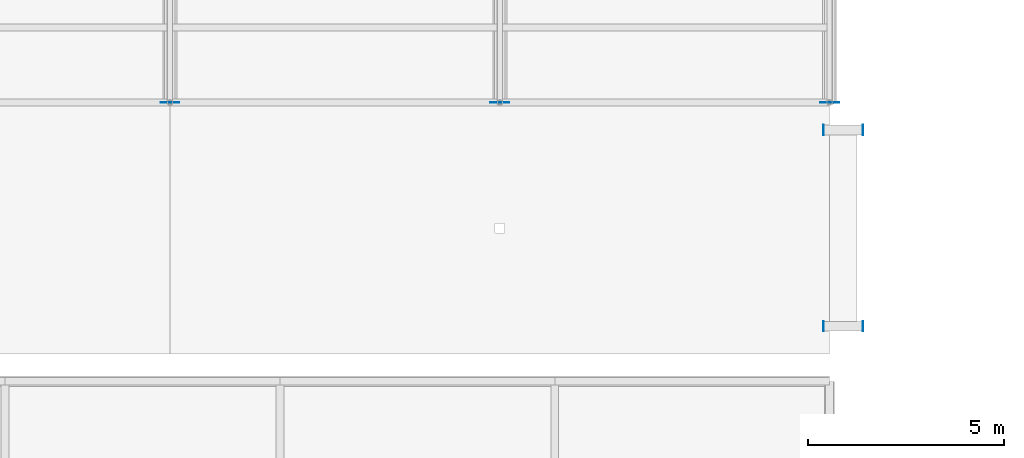
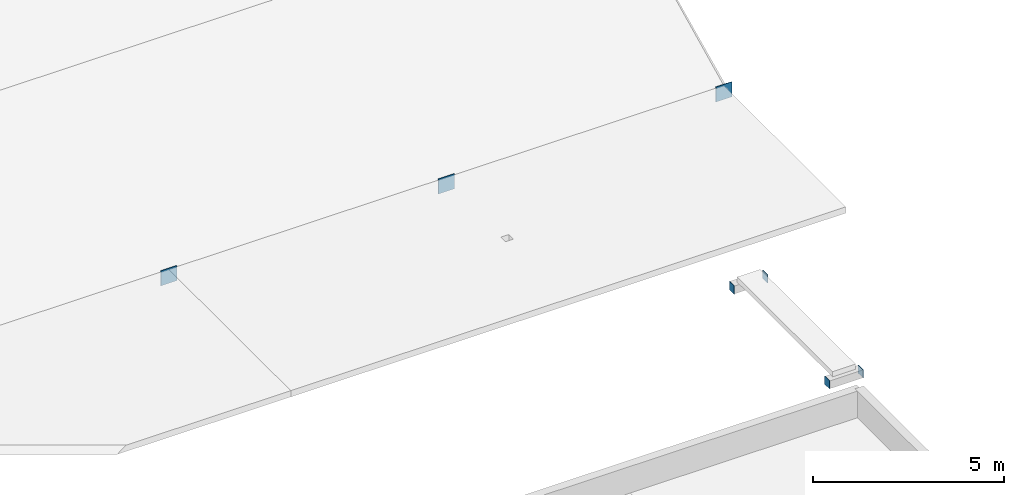
# One storey, part 173 of 194: 7 plates.
"""IFC4 building model written with IfcOpenShell, lengths in metres."""

import ifcopenshell
import ifcopenshell.guid

model = None  # the IFC model being written
_history = None  # IfcOwnerHistory: only IFC2X3 demands one
_inside = {}  # id of a spatial element -> (the spatial element, [elements in it])
_under = {}  # id of a project, library or spatial element -> (it, [spatial elements below it])
_declared = {}  # id of a project -> (the project, [libraries it declares])
_typed = {}  # id of a type object -> (the type object, [elements of that type])
_made_of = {}  # id of a material, layer set ... -> (it, [elements and type objects made of it])


def new_model(schema):
    """Start an empty IFC model of exactly this schema.

    Asked for "IFC4X3", IfcOpenShell would pick the latest addendum, in which some entities
    have other attributes; the version numbers below select the first issue.
    IFC2X3 requires an IfcOwnerHistory on every rooted entity: one is made here for all.
    """
    global model, _history
    if schema == "IFC4X3":
        model = ifcopenshell.file(schema_version=(4, 3, 0, 0))
    else:
        model = ifcopenshell.file(schema=schema)
    _inside.clear()
    _under.clear()
    _declared.clear()
    _typed.clear()
    _made_of.clear()
    _history = None
    if model.schema == "IFC2X3":
        org = make("IfcOrganization", Name="unknown")
        user = make(
            "IfcPersonAndOrganization",
            ThePerson=make("IfcPerson", FamilyName="unknown"),
            TheOrganization=org,
        )
        app = make(
            "IfcApplication",
            ApplicationDeveloper=org,
            Version="unknown",
            ApplicationFullName="unknown",
            ApplicationIdentifier="unknown",
        )
        _history = make(
            "IfcOwnerHistory",
            OwningUser=user,
            OwningApplication=app,
            ChangeAction="ADDED",
            CreationDate=0,
        )
    return model


def make(cls, **values):
    """One entity of the class cls with the attributes given. An attribute that is None is left unset."""
    return model.create_entity(
        cls, **{name: value for name, value in values.items() if value is not None}
    )


def rooted(cls, **values):
    """An entity with a GlobalId (a new one), such as an element, a storey or a relation."""
    return make(cls, GlobalId=ifcopenshell.guid.new(), OwnerHistory=_history, **values)


def si_unit(unit_type, name, prefix=None):
    """IfcSIUnit, for example si_unit("LENGTHUNIT", "METRE", prefix="MILLI")."""
    return make("IfcSIUnit", UnitType=unit_type, Prefix=prefix, Name=name)


def assignment(units):
    """IfcUnitAssignment: the units of a project."""
    return None if units is None else make("IfcUnitAssignment", Units=units)


def point(xyz):
    """IfcCartesianPoint."""
    return None if xyz is None else make("IfcCartesianPoint", Coordinates=xyz)


def direction(xyz):
    """IfcDirection."""
    return None if xyz is None else make("IfcDirection", DirectionRatios=xyz)


def frame(location, z_axis=None, x_axis=None):
    """IfcAxis2Placement3D, a coordinate frame: its origin and axes. An axis left out is left unset."""
    return make(
        "IfcAxis2Placement3D",
        Location=point(location),
        Axis=direction(z_axis),
        RefDirection=direction(x_axis),
    )


def frame_2d(location, x_axis=None):
    """IfcAxis2Placement2D, a coordinate frame in the plane: its origin and x axis."""
    return make(
        "IfcAxis2Placement2D", Location=point(location), RefDirection=direction(x_axis)
    )


def origin():
    """The frame at (0, 0, 0) with its axes left unset."""
    return frame((0.0, 0.0, 0.0))


def origin_2d():
    """The frame at (0, 0) in the plane with its x axis left unset."""
    return frame_2d((0.0, 0.0))


def place(relative_to, where):
    """IfcLocalPlacement: puts the frame where relative to a parent placement (None: the world)."""
    return make(
        "IfcLocalPlacement", PlacementRelTo=relative_to, RelativePlacement=where
    )


def context(
    kind, dimensions, precision=None, world=None, true_north=None, identifier=None
):
    """IfcGeometricRepresentationContext, for example the 3D "Model" context."""
    return make(
        "IfcGeometricRepresentationContext",
        ContextIdentifier=identifier,
        ContextType=kind,
        CoordinateSpaceDimension=dimensions,
        Precision=precision,
        WorldCoordinateSystem=world,
        TrueNorth=true_north,
    )


def subcontext(parent, identifier, kind, view, scale=None):
    """IfcGeometricRepresentationSubContext, for example "Body" below "Model"."""
    return make(
        "IfcGeometricRepresentationSubContext",
        ContextIdentifier=identifier,
        ContextType=kind,
        ParentContext=parent,
        TargetScale=scale,
        TargetView=view,
    )


def project(units=None, contexts=None):
    """IfcProject with its units and contexts."""
    return rooted(
        "IfcProject",
        Name="project",
        RepresentationContexts=contexts,
        UnitsInContext=assignment(units),
    )


def spatial(cls, under=None, at=None, **own):
    """A site, building, storey or space (cls), placed at a placement, below another one or the project."""
    s = rooted(cls, ObjectPlacement=at, **own)
    if under is not None:
        _under.setdefault(under.id(), (under, []))[1].append(s)
    return s


def profile(cls, at=None, kind="AREA", **sizes):
    """A parametric profile (cls). Its sizes go by their IFC names, for example OverallWidth=200.0."""
    return make(cls, ProfileType=kind, Position=at, **sizes)


def rectangle(**sizes):
    """IfcRectangleProfileDef."""
    return profile("IfcRectangleProfileDef", **sizes)


def extrude(swept, where, along, depth):
    """IfcExtrudedAreaSolid: the profile swept, set in the frame where, extruded along a direction by depth."""
    return make(
        "IfcExtrudedAreaSolid",
        SweptArea=swept,
        Position=where,
        ExtrudedDirection=direction(along),
        Depth=depth,
    )


def shape(context_of_items, identifier, shape_type, items):
    """IfcShapeRepresentation: the items that make up one representation, for example the "Body"."""
    return make(
        "IfcShapeRepresentation",
        ContextOfItems=context_of_items,
        RepresentationIdentifier=identifier,
        RepresentationType=shape_type,
        Items=items,
    )


def material(Name=None, Category=None):
    """IfcMaterial."""
    return make("IfcMaterial", Name=Name, Category=Category)


def layer(
    of_material, thickness, ventilated=None, Name=None, Category=None, Priority=None
):
    """IfcMaterialLayer: one layer of a wall or slab, of a material (None: an air gap)."""
    return make(
        "IfcMaterialLayer",
        Material=of_material,
        LayerThickness=thickness,
        IsVentilated=ventilated,
        Name=Name,
        Category=Category,
        Priority=Priority,
    )


def layer_set(layers, Name=None):
    """IfcMaterialLayerSet."""
    return make("IfcMaterialLayerSet", MaterialLayers=layers, LayerSetName=Name)


def made_of(thing, what):
    """Note that an element or type object is made of a material, layer set ...; save() writes the relation."""
    if what is not None:
        _made_of.setdefault(what.id(), (what, []))[1].append(thing)
    return thing


def type_object(cls, material=None, **own):
    """A type object (cls), such as IfcWallType, which elements share."""
    return made_of(rooted(cls, **own), material)


def element(
    cls,
    number,
    at=None,
    inside=None,
    cuts=None,
    type_object=None,
    material=None,
    context=None,
    identifier="Body",
    shape_type=None,
    held_by="IfcProductDefinitionShape",
    body=None,
    shapes=None,
    **own,
):
    """One element of the class cls, such as IfcWall. Its Tag is "e" and its number.

    at: its placement. inside: the storey or other place that contains it. cuts: it is an
    opening in that element (IfcRelVoidsElement). A single representation is given by context,
    identifier, shape_type and body (its items); several are given by shapes. held_by: the class
    of the entity that holds the representations. save() writes the other relations.
    """
    e = rooted(cls, Tag="e%d" % number, ObjectPlacement=at, **own)
    if body is not None:
        shapes = [shape(context, identifier, shape_type, body)]
    if shapes is not None:
        e.Representation = make(held_by, Representations=shapes)
    if inside is not None:
        _inside.setdefault(inside.id(), (inside, []))[1].append(e)
    if cuts is not None:
        rooted(
            "IfcRelVoidsElement", RelatingBuildingElement=cuts, RelatedOpeningElement=e
        )
    if type_object is not None:
        _typed.setdefault(type_object.id(), (type_object, []))[1].append(e)
    return made_of(e, material)


def aggregate(whole, parts):
    """IfcRelAggregates: a whole, such as a stair, and the parts it consists of."""
    return rooted("IfcRelAggregates", RelatingObject=whole, RelatedObjects=parts)


def save(model, path):
    """Write the relations noted so far, then the file.

    IfcRelAggregates (storeys below a building ...), IfcRelContainedInSpatialStructure (elements
    in a storey), IfcRelDefinesByType, IfcRelAssociatesMaterial and IfcRelDeclares: one each for
    every whole, place, type object, material and project.
    """
    for whole, parts in _under.values():
        aggregate(whole, parts)
    for where, things in _inside.values():
        rooted(
            "IfcRelContainedInSpatialStructure",
            RelatedElements=things,
            RelatingStructure=where,
        )
    for kind, things in _typed.values():
        rooted("IfcRelDefinesByType", RelatedObjects=things, RelatingType=kind)
    for what, things in _made_of.values():
        rooted("IfcRelAssociatesMaterial", RelatedObjects=things, RelatingMaterial=what)
    for by, libraries in _declared.values():
        rooted("IfcRelDeclares", RelatingContext=by, RelatedDefinitions=libraries)
    model.write(path)


model = new_model("IFC4")

# Units and contexts
model_context = context("Model", 3, precision=1e-05, world=origin(), true_north=direction((0.0, 1.0)))
body_context = subcontext(model_context, "Body", "Model", "MODEL_VIEW")
ifc_project = project(units=[si_unit("LENGTHUNIT", "METRE"), si_unit("AREAUNIT", "SQUARE_METRE"), si_unit("VOLUMEUNIT", "CUBIC_METRE"), si_unit("PLANEANGLEUNIT", "RADIAN"), si_unit("MASSUNIT", "GRAM", prefix="KILO")], contexts=[model_context])

# Site, building, storey
site_placement = place(None, origin())
site = spatial("IfcSite", under=ifc_project, at=site_placement, CompositionType="ELEMENT")
building_placement = place(site_placement, origin())
building = spatial("IfcBuilding", under=site, at=building_placement, Name="Kazenagashi Tramway Depot", CompositionType="ELEMENT")
storey_placement = place(building_placement, frame((0.0, 0.0, 23.7)))
storey = spatial("IfcBuildingStorey", under=building, at=storey_placement, Name="ROOF", CompositionType="ELEMENT", Elevation=23.7)

# Plates
ifc_material_1 = material(Name="Weathering Steel SMA490W", Category="steel")
ifc_layer_1 = layer(ifc_material_1, 0.012)
ifc_layer_set_1 = layer_set([ifc_layer_1], Name="Weathering Steel SMA490W")
plate_type_1 = type_object("IfcPlateType", Name="EC-04", PredefinedType="USERDEFINED", material=ifc_layer_set_1)
for number, where, z_axis, x_axis, name in (
    (1, (145.444, 17.2, -14.52), (0.0, 0.0, 1.0), (0.0, 1.0, 0.0), "Structural Node Plate EC-04 PLT-0095"),
    (2, (146.456, 17.2, -14.52), (0.0, 0.0, 1.0), (0.0, 1.0, 0.0), "Structural Node Plate EC-04 PLT-0096"),
    (3, (145.444, 22.2, -14.52), (0.0, 0.0, 1.0), (0.0, 1.0, 0.0), "Structural Node Plate EC-04 PLT-0097"),
    (4, (146.456, 22.2, -14.52), (0.0, 0.0, 1.0), (0.0, 1.0, 0.0), "Structural Node Plate EC-04 PLT-0098"),
):
    element("IfcPlate", number, at=place(storey_placement, frame(where, z_axis=z_axis, x_axis=x_axis)), inside=storey, type_object=plate_type_1, Name=name, ObjectType="END CAP PLATE", PredefinedType="USERDEFINED", context=body_context, shape_type="SweptSolid", body=[
        extrude(rectangle(XDim=0.26, YDim=0.012, at=origin_2d()), origin(), (0.0, 0.0, 1.0), 0.26),
    ])
ifc_material_2 = material(Name="Steel SN490B", Category="steel")
ifc_layer_2 = layer(ifc_material_2, 0.019)
ifc_layer_set_2 = layer_set([ifc_layer_2], Name="Steel SN490B")
plate_type_2 = type_object("IfcPlateType", Name="GP-02", PredefinedType="USERDEFINED", material=ifc_layer_set_2)
for number, where, z_axis, x_axis, name in (
    (5, (128.8, 22.9, -8.84), (0.0, 0.0, 1.0), (1.0, 0.0, 0.0), "Structural Node Plate GP-02 PLT-0132"),
    (6, (137.2, 22.9, -8.84), (0.0, 0.0, 1.0), (1.0, 0.0, 0.0), "Structural Node Plate GP-02 PLT-0133"),
    (7, (145.6, 22.9, -8.84), (0.0, 0.0, 1.0), (1.0, 0.0, 0.0), "Structural Node Plate GP-02 PLT-0136"),
):
    element("IfcPlate", number, at=place(storey_placement, frame(where, z_axis=z_axis, x_axis=x_axis)), inside=storey, type_object=plate_type_2, Name=name, ObjectType="GUSSET PLATE", PredefinedType="USERDEFINED", context=body_context, shape_type="SweptSolid", body=[
        extrude(rectangle(XDim=0.48, YDim=0.019, at=origin_2d()), origin(), (0.0, 0.0, 1.0), 0.48),
    ])

save(model, "model.ifc")
